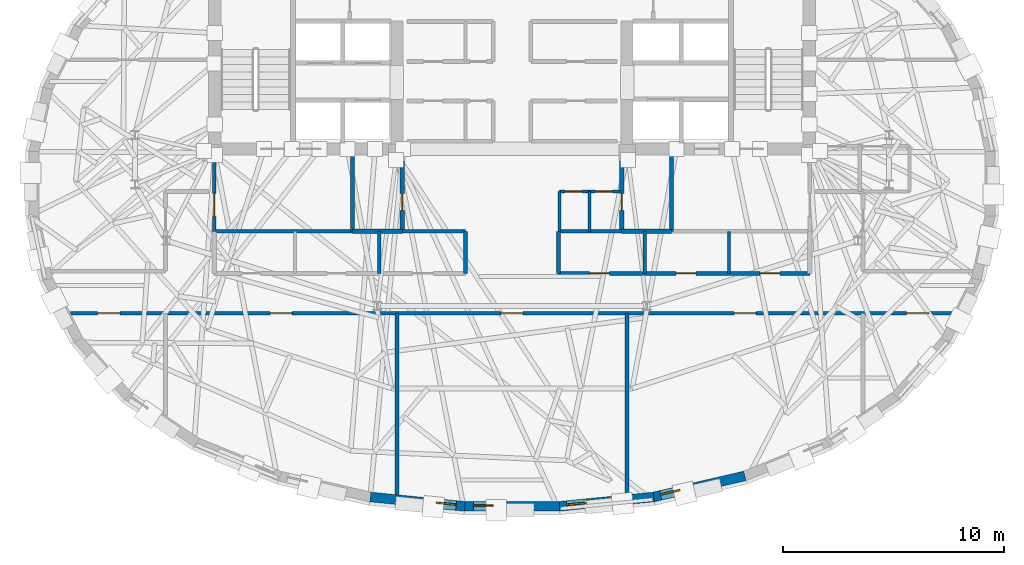
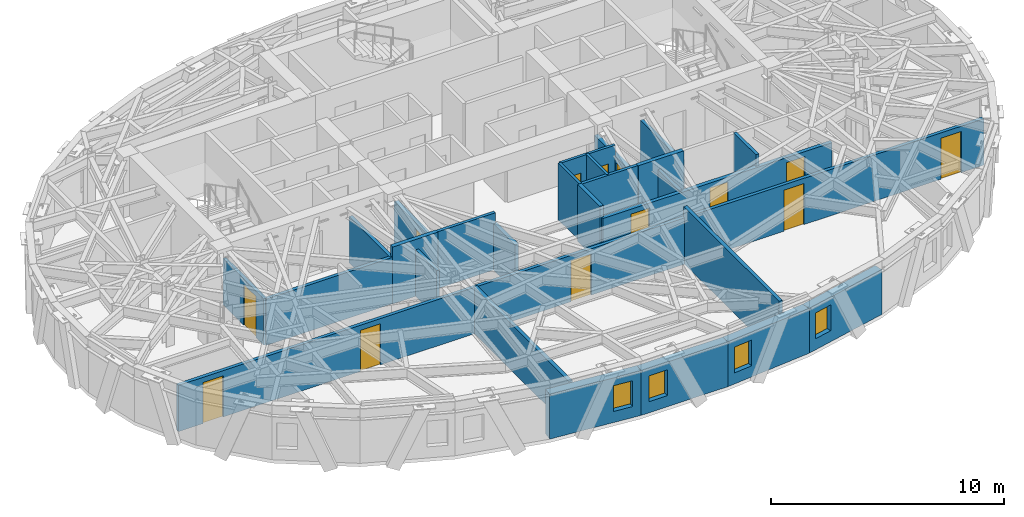
# One storey, part 6 of 12: 26 walls, 13 doors, 4 windows, 17 openings.
"""IFC4 building model written with IfcOpenShell, lengths in metres."""

from ifc_helpers import new_model, si_unit, direction, frame, frame_2d, origin, place, context, subcontext, project, spatial, rectangle, extrude, material, layer, layer_set, type_object, element, fill, save


model = new_model("IFC4")

# Units and contexts
model_context = context("Model", 3, precision=1e-05, world=origin(), true_north=direction((0.0, 1.0)))
body_context = subcontext(model_context, "Body", "Model", "MODEL_VIEW")
ifc_project = project(units=[si_unit("LENGTHUNIT", "METRE"), si_unit("AREAUNIT", "SQUARE_METRE"), si_unit("VOLUMEUNIT", "CUBIC_METRE"), si_unit("PLANEANGLEUNIT", "RADIAN"), si_unit("MASSUNIT", "GRAM", prefix="KILO")], contexts=[model_context])

# Site, building, storey
site_placement = place(None, origin())
site = spatial("IfcSite", under=ifc_project, at=site_placement, CompositionType="ELEMENT")
building_placement = place(site_placement, origin())
building = spatial("IfcBuilding", under=site, at=building_placement, Name="Keldmark Tower", CompositionType="ELEMENT")
storey_placement = place(building_placement, frame((0.0, 0.0, 238.35009765625)))
storey = spatial("IfcBuildingStorey", under=building, at=storey_placement, Name="L67", CompositionType="ELEMENT", Elevation=238.35009765625)

# Walls
ifc_material_1 = material(Name="STC-58 Insulated Tenant Demising Gypsum Partition", Category="gypsum")
ifc_layer_1 = layer(ifc_material_1, 0.175048828125)
ifc_layer_set_1 = layer_set([ifc_layer_1], Name="STC-58 Insulated Tenant Demising Gypsum Partition")
wall_type_1 = type_object("IfcWallType", Name="Demising Suite Partition 175 mm", PredefinedType="PARTITIONING", material=ifc_layer_set_1)
wall_1_placement = place(storey_placement, frame((-5.199951171875, -14.036376953125, 0.0), z_axis=(0.0, 0.0, 1.0), x_axis=(0.0, 1.0, 0.0)))
element("IfcWall", 1, at=wall_1_placement, inside=storey, type_object=wall_type_1, Name="L67 Demising Suite Partition 175 mm RS-ODIV-1", PredefinedType="PARTITIONING", context=body_context, shape_type="SweptSolid", body=[
    extrude(rectangle(XDim=8.186279296875, YDim=0.175048828125, at=frame_2d((4.09326171875, 0.0))), origin(), (0.0, 0.0, 1.0), 2.4228515625),
])
wall_2_placement = place(storey_placement, frame((5.199951171875, -14.036376953125, 0.0), z_axis=(0.0, 0.0, 1.0), x_axis=(0.0, 1.0, 0.0)))
element("IfcWall", 2, at=wall_2_placement, inside=storey, type_object=wall_type_1, Name="L67 Demising Suite Partition 175 mm RS-ODIV-2", PredefinedType="PARTITIONING", context=body_context, shape_type="SweptSolid", body=[
    extrude(rectangle(XDim=8.186279296875, YDim=0.175048828125, at=frame_2d((4.09326171875, 0.0))), origin(), (0.0, 0.0, 1.0), 2.969970703125),
])
ifc_material_2 = material(Name="Heavy Acoustic Plumbing Chase Gypsum Assembly", Category="gypsum")
ifc_layer_2 = layer(ifc_material_2, 0.18994140625)
ifc_layer_set_2 = layer_set([ifc_layer_2], Name="Heavy Acoustic Plumbing Chase Gypsum Assembly")
wall_type_2 = type_object("IfcWallType", Name="Heavy Wet Wall 190 mm", PredefinedType="PLUMBINGWALL", material=ifc_layer_set_2)
wall_3_placement = place(storey_placement, frame((-2.10009765625, -4.050048828125, 0.0), z_axis=(0.0, 0.0, 1.0), x_axis=(0.0, 1.0, 0.0)))
element("IfcWall", 3, at=wall_3_placement, inside=storey, type_object=wall_type_2, Name="L67 Heavy Wet Wall 190 mm SPK-W-E", PredefinedType="PLUMBINGWALL", context=body_context, shape_type="SweptSolid", body=[
    extrude(rectangle(XDim=1.900146484375, YDim=0.18994140625, at=frame_2d((0.9501953125, 0.0))), origin(), (0.0, 0.0, 1.0), 2.4228515625),
])

# Wall, openings, doors
wall_4_placement = place(storey_placement, frame((2.10009765625, -4.050048828125, 0.0), z_axis=(0.0, 0.0, 1.0), x_axis=(1.0, 0.0, 0.0)))
wall_4 = element("IfcWall", 4, at=wall_4_placement, inside=storey, type_object=wall_type_2, Name="L67 Heavy Wet Wall 190 mm SPK-E-S", PredefinedType="PLUMBINGWALL", context=body_context, shape_type="SweptSolid", body=[
    extrude(rectangle(XDim=11.349853515625, YDim=0.18994140625, at=frame_2d((5.6748046875, 0.0))), origin(), (0.0, 0.0, 1.0), 2.35693359375),
])
opening_1_placement = place(wall_4_placement, frame((1.39990234375, 0.0, 0.0)))
opening_1 = element("IfcOpeningElement", 5, at=opening_1_placement, cuts=wall_4, Name="Opening D-IN090", PredefinedType="OPENING", context=body_context, shape_type="SweptSolid", body=[
    extrude(rectangle(XDim=0.89990234375, YDim=2.10009765625, at=frame_2d((0.449951171875, 1.050048828125))), frame((0.0, 0.10498046875, 0.0), z_axis=(0.0, -1.0, 0.0), x_axis=(1.0, 0.0, 0.0)), (0.0, 0.0, 1.0), 0.2099609375),
])
opening_2_placement = place(wall_4_placement, frame((5.300048828125, 0.0, 0.0)))
opening_2 = element("IfcOpeningElement", 6, at=opening_2_placement, cuts=wall_4, Name="Opening D-IN090", PredefinedType="OPENING", context=body_context, shape_type="SweptSolid", body=[
    extrude(rectangle(XDim=0.89990234375, YDim=2.10009765625, at=frame_2d((0.449951171875, 1.050048828125))), frame((0.0, 0.10498046875, 0.0), z_axis=(0.0, -1.0, 0.0), x_axis=(1.0, 0.0, 0.0)), (0.0, 0.0, 1.0), 0.2099609375),
])
opening_3_placement = place(wall_4_placement, frame((9.10009765625, 0.0, 0.0)))
opening_3 = element("IfcOpeningElement", 7, at=opening_3_placement, cuts=wall_4, Name="Opening D-IN090", PredefinedType="OPENING", context=body_context, shape_type="SweptSolid", body=[
    extrude(rectangle(XDim=0.89990234375, YDim=2.10009765625, at=frame_2d((0.449951171875, 1.050048828125))), frame((0.0, 0.10498046875, 0.0), z_axis=(0.0, -1.0, 0.0), x_axis=(1.0, 0.0, 0.0)), (0.0, 0.0, 1.0), 0.2099609375),
])
ifc_material_3 = material(Name="Stained American White Oak Veneer", Category="wood")
door_type_1 = type_object("IfcDoorType", Name="Interior Door 900x2100", OperationType="NOTDEFINED", PredefinedType="DOOR", material=ifc_material_3)
door_1_placement = place(opening_1_placement, origin())
door_1 = element("IfcDoor", 8, at=door_1_placement, inside=storey, type_object=door_type_1, Name="L67 Interior Door 900x2100 D-SPKE1-L67", OperationType="SINGLE_SWING_RIGHT", OverallHeight=2.10009765625, OverallWidth=0.89990234375, PredefinedType="DOOR", context=body_context, shape_type="SweptSolid", body=[
    extrude(rectangle(XDim=0.89990234375, YDim=2.10009765625, at=frame_2d((0.449951171875, 1.050048828125))), frame((0.0, 0.02490234375, 0.0), z_axis=(0.0, -1.0, 0.0), x_axis=(1.0, 0.0, 0.0)), (0.0, 0.0, 1.0), 0.050048828125),
])
fill(opening_1, door_1)
door_2_placement = place(opening_2_placement, origin())
door_2 = element("IfcDoor", 9, at=door_2_placement, inside=storey, type_object=door_type_1, Name="L67 Interior Door 900x2100 D-SPKE2-L67", OperationType="SINGLE_SWING_LEFT", OverallHeight=2.10009765625, OverallWidth=0.89990234375, PredefinedType="DOOR", context=body_context, shape_type="SweptSolid", body=[
    extrude(rectangle(XDim=0.89990234375, YDim=2.10009765625, at=frame_2d((0.449951171875, 1.050048828125))), frame((0.0, 0.02490234375, 0.0), z_axis=(0.0, -1.0, 0.0), x_axis=(1.0, 0.0, 0.0)), (0.0, 0.0, 1.0), 0.050048828125),
])
fill(opening_2, door_2)
door_3_placement = place(opening_3_placement, origin())
door_3 = element("IfcDoor", 10, at=door_3_placement, inside=storey, type_object=door_type_1, Name="L67 Interior Door 900x2100 D-SPKE3-L67", OperationType="SINGLE_SWING_RIGHT", OverallHeight=2.10009765625, OverallWidth=0.89990234375, PredefinedType="DOOR", context=body_context, shape_type="SweptSolid", body=[
    extrude(rectangle(XDim=0.89990234375, YDim=2.10009765625, at=frame_2d((0.449951171875, 1.050048828125))), frame((0.0, 0.02490234375, 0.0), z_axis=(0.0, -1.0, 0.0), x_axis=(1.0, 0.0, 0.0)), (0.0, 0.0, 1.0), 0.050048828125),
])
fill(opening_3, door_3)

# Wall
wall_5_placement = place(storey_placement, frame((2.10009765625, -4.050048828125, 0.0), z_axis=(0.0, 0.0, 1.0), x_axis=(0.0, 1.0, 0.0)))
element("IfcWall", 11, at=wall_5_placement, inside=storey, type_object=wall_type_2, Name="L67 Heavy Wet Wall 190 mm SPK-E-W", PredefinedType="PLUMBINGWALL", context=body_context, shape_type="SweptSolid", body=[
    extrude(rectangle(XDim=1.900146484375, YDim=0.18994140625, at=frame_2d((0.9501953125, 0.0))), origin(), (0.0, 0.0, 1.0), 2.969970703125),
])

# Wall, openings, doors
ifc_material_4 = material(Name="Acoustic Gypsum Board Interior Partition", Category="gypsum")
ifc_layer_3 = layer(ifc_material_4, 0.1298828125)
ifc_layer_set_3 = layer_set([ifc_layer_3], Name="Acoustic Gypsum Board Interior Partition")
wall_type_3 = type_object("IfcWallType", Name="Interior Partition 130 mm", PredefinedType="PARTITIONING", material=ifc_layer_set_3)
wall_6_placement = place(storey_placement, frame((2.14990234375, -0.35009765625, 0.0), z_axis=(0.0, 0.0, 1.0), x_axis=(1.0, 0.0, 0.0)))
wall_6 = element("IfcWall", 12, at=wall_6_placement, inside=storey, type_object=wall_type_3, Name="L67 Interior Partition 130 mm CSC-E-N", PredefinedType="PARTITIONING", context=body_context, shape_type="SweptSolid", body=[
    extrude(rectangle(XDim=2.72998046875, YDim=0.1298828125, at=frame_2d((1.364990234375, 0.0))), origin(), (0.0, 0.0, 1.0), 2.969970703125),
])
opening_4_placement = place(wall_6_placement, frame((0.25, 0.0, 0.0)))
opening_4 = element("IfcOpeningElement", 13, at=opening_4_placement, cuts=wall_6, Name="Opening D-CL078", PredefinedType="OPENING", context=body_context, shape_type="SweptSolid", body=[
    extrude(rectangle(XDim=0.780029296875, YDim=2.10009765625, at=frame_2d((0.39013671875, 1.050048828125))), frame((0.0, 0.074951171875, 0.0), z_axis=(0.0, -1.0, 0.0), x_axis=(1.0, 0.0, 0.0)), (0.0, 0.0, 1.0), 0.14990234375),
])
opening_5_placement = place(wall_6_placement, frame((1.60009765625, 0.0, 0.0)))
opening_5 = element("IfcOpeningElement", 14, at=opening_5_placement, cuts=wall_6, Name="Opening D-CL078", PredefinedType="OPENING", context=body_context, shape_type="SweptSolid", body=[
    extrude(rectangle(XDim=0.780029296875, YDim=2.10009765625, at=frame_2d((0.39013671875, 1.050048828125))), frame((0.0, 0.074951171875, 0.0), z_axis=(0.0, -1.0, 0.0), x_axis=(1.0, 0.0, 0.0)), (0.0, 0.0, 1.0), 0.14990234375),
])
ifc_material_5 = material(Name="Flush Utility Closet Timber Door", Category="wood")
door_type_2 = type_object("IfcDoorType", Name="Closet Door 780x2100", OperationType="NOTDEFINED", PredefinedType="DOOR", material=ifc_material_5)
door_4_placement = place(opening_4_placement, origin())
door_4 = element("IfcDoor", 15, at=door_4_placement, inside=storey, type_object=door_type_2, Name="L67 Closet Door 780x2100 D-CSCE1-L67", OperationType="SINGLE_SWING_LEFT", OverallHeight=2.10009765625, OverallWidth=0.780029296875, PredefinedType="DOOR", context=body_context, shape_type="SweptSolid", body=[
    extrude(rectangle(XDim=0.780029296875, YDim=2.10009765625, at=frame_2d((0.39013671875, 1.050048828125))), frame((0.0, 0.02490234375, 0.0), z_axis=(0.0, -1.0, 0.0), x_axis=(1.0, 0.0, 0.0)), (0.0, 0.0, 1.0), 0.050048828125),
])
fill(opening_4, door_4)
door_5_placement = place(opening_5_placement, origin())
door_5 = element("IfcDoor", 16, at=door_5_placement, inside=storey, type_object=door_type_2, Name="L67 Closet Door 780x2100 D-CSCE2-L67", OperationType="SINGLE_SWING_RIGHT", OverallHeight=2.10009765625, OverallWidth=0.780029296875, PredefinedType="DOOR", context=body_context, shape_type="SweptSolid", body=[
    extrude(rectangle(XDim=0.780029296875, YDim=2.10009765625, at=frame_2d((0.39013671875, 1.050048828125))), frame((0.0, 0.02490234375, 0.0), z_axis=(0.0, -1.0, 0.0), x_axis=(1.0, 0.0, 0.0)), (0.0, 0.0, 1.0), 0.050048828125),
])
fill(opening_5, door_5)

# Walls
for number, where, z_axis, x_axis, name in (
    (17, (2.14990234375, -2.14990234375, 0.0), (0.0, 0.0, 1.0), (0.0, 1.0, 0.0), "L67 Interior Partition 130 mm CSC-E-W"),
    (18, (3.5, -2.14990234375, 0.0), (0.0, 0.0, 1.0), (0.0, 1.0, 0.0), "L67 Interior Partition 130 mm CSC-E-M"),
):
    element("IfcWall", number, at=place(storey_placement, frame(where, z_axis=z_axis, x_axis=x_axis)), inside=storey, type_object=wall_type_3, Name=name, PredefinedType="PARTITIONING", context=body_context, shape_type="SweptSolid", body=[
        extrude(rectangle(XDim=1.7998046875, YDim=0.1298828125, at=frame_2d((0.89990234375, 0.0))), origin(), (0.0, 0.0, 1.0), 2.969970703125),
    ])
ifc_material_6 = material(Name="Type X Fire-Rated Gypsum Partition Assembly", Category="gypsum")
ifc_layer_4 = layer(ifc_material_6, 0.1650390625)
ifc_layer_set_4 = layer_set([ifc_layer_4], Name="Type X Fire-Rated Gypsum Partition Assembly")
wall_type_4 = type_object("IfcWallType", Name="Rated Partition 165 mm", PredefinedType="PARTITIONING", material=ifc_layer_set_4)
wall_7_placement = place(storey_placement, frame((-13.449951171875, -2.14990234375, 0.0), z_axis=(0.0, 0.0, 1.0), x_axis=(1.0, 0.0, 0.0)))
element("IfcWall", 19, at=wall_7_placement, inside=storey, type_object=wall_type_4, Name="L67 Rated Partition 165 mm FSAE-W-S", PredefinedType="PARTITIONING", context=body_context, shape_type="SweptSolid", body=[
    extrude(rectangle(XDim=6.25, YDim=0.1650390625, at=frame_2d((3.125, 0.0))), origin(), (0.0, 0.0, 1.0), 2.4228515625),
])

# Wall, opening, door
wall_8_placement = place(storey_placement, frame((-13.449951171875, -2.14990234375, 0.0), z_axis=(0.0, 0.0, 1.0), x_axis=(0.0, 1.0, 0.0)))
wall_8 = element("IfcWall", 20, at=wall_8_placement, inside=storey, type_object=wall_type_4, Name="L67 Rated Partition 165 mm FSAE-W-W", PredefinedType="PARTITIONING", context=body_context, shape_type="SweptSolid", body=[
    extrude(rectangle(XDim=3.5, YDim=0.1650390625, at=frame_2d((1.75, 0.0))), origin(), (0.0, 0.0, 1.0), 2.4228515625),
])
opening_6_placement = place(wall_8_placement, frame((0.669921875, 0.0, 0.0)))
opening_6 = element("IfcOpeningElement", 21, at=opening_6_placement, cuts=wall_8, Name="Opening D-FL105", PredefinedType="OPENING", context=body_context, shape_type="SweptSolid", body=[
    extrude(rectangle(XDim=1.050048828125, YDim=2.14990234375, at=frame_2d((0.52490234375, 1.074951171875))), frame((0.0, 0.092529296875, 0.0), z_axis=(0.0, -1.0, 0.0), x_axis=(1.0, 0.0, 0.0)), (0.0, 0.0, 1.0), 0.18505859375),
])
ifc_material_7 = material(Name="Fire-Rated Mineral-Core Door and Vision Lite", Category="metal")
door_type_3 = type_object("IfcDoorType", Name="Fire Lobby Door 1050x2150", OperationType="NOTDEFINED", PredefinedType="DOOR", material=ifc_material_7)
door_6_placement = place(opening_6_placement, origin())
door_6 = element("IfcDoor", 22, at=door_6_placement, inside=storey, type_object=door_type_3, Name="L67 Fire Lobby Door 1050x2150 D-FSAEW-OUT-L67", OperationType="SINGLE_SWING_LEFT", OverallHeight=2.14990234375, OverallWidth=1.050048828125, PredefinedType="DOOR", context=body_context, shape_type="SweptSolid", body=[
    extrude(rectangle(XDim=1.050048828125, YDim=2.14990234375, at=frame_2d((0.52490234375, 1.074951171875))), frame((0.0, 0.02490234375, 0.0), z_axis=(0.0, -1.0, 0.0), x_axis=(1.0, 0.0, 0.0)), (0.0, 0.0, 1.0), 0.050048828125),
])
fill(opening_6, door_6)

# Walls
for number, where, z_axis, x_axis, name in (
    (23, (-7.199951171875, -2.14990234375, 0.0), (0.0, 0.0, 1.0), (0.0, 1.0, 0.0), "L67 Rated Partition 165 mm FSAE-W-E"),
    (24, (7.199951171875, -2.14990234375, 0.0), (0.0, 0.0, 1.0), (0.0, 1.0, 0.0), "L67 Rated Partition 165 mm FSAE-E-W"),
):
    element("IfcWall", number, at=place(storey_placement, frame(where, z_axis=z_axis, x_axis=x_axis)), inside=storey, type_object=wall_type_4, Name=name, PredefinedType="PARTITIONING", context=body_context, shape_type="SweptSolid", body=[
        extrude(rectangle(XDim=3.5, YDim=0.1650390625, at=frame_2d((1.75, 0.0))), origin(), (0.0, 0.0, 1.0), 2.4228515625),
    ])

# Wall, openings, doors
wall_9_placement = place(storey_placement, frame((-19.9345703125, -5.85009765625, 0.0), z_axis=(0.0, 0.0, 1.0), x_axis=(1.0, 0.0, 0.0)))
wall_9 = element("IfcWall", 25, at=wall_9_placement, inside=storey, type_object=wall_type_4, Name="L67 Rated Partition 165 mm RCOR-S", PredefinedType="PARTITIONING", context=body_context, shape_type="SweptSolid", body=[
    extrude(rectangle(XDim=39.869140625, YDim=0.1650390625, at=frame_2d((19.9345703125, 0.0))), origin(), (0.0, 0.0, 1.0), 2.4228515625),
])
opening_7_placement = place(wall_9_placement, frame((1.220947265625, 0.0, 0.0)))
opening_7 = element("IfcOpeningElement", 26, at=opening_7_placement, cuts=wall_9, Name="Opening D-FD100", PredefinedType="OPENING", context=body_context, shape_type="SweptSolid", body=[
    extrude(rectangle(XDim=1.0, YDim=2.14990234375, at=frame_2d((0.5, 1.074951171875))), frame((0.0, 0.092529296875, 0.0), z_axis=(0.0, -1.0, 0.0), x_axis=(1.0, 0.0, 0.0)), (0.0, 0.0, 1.0), 0.18505859375),
])
opening_8_placement = place(wall_9_placement, frame((37.747802734375, 0.0, 0.0)))
opening_8 = element("IfcOpeningElement", 27, at=opening_8_placement, cuts=wall_9, Name="Opening D-FD100", PredefinedType="OPENING", context=body_context, shape_type="SweptSolid", body=[
    extrude(rectangle(XDim=1.0, YDim=2.14990234375, at=frame_2d((0.5, 1.074951171875))), frame((0.0, 0.092529296875, 0.0), z_axis=(0.0, -1.0, 0.0), x_axis=(1.0, 0.0, 0.0)), (0.0, 0.0, 1.0), 0.18505859375),
])
opening_9_placement = place(wall_9_placement, frame((9.010009765625, 0.0, 0.0)))
opening_9 = element("IfcOpeningElement", 28, at=opening_9_placement, cuts=wall_9, Name="Opening D-FD100", PredefinedType="OPENING", context=body_context, shape_type="SweptSolid", body=[
    extrude(rectangle(XDim=1.0, YDim=2.14990234375, at=frame_2d((0.5, 1.074951171875))), frame((0.0, 0.092529296875, 0.0), z_axis=(0.0, -1.0, 0.0), x_axis=(1.0, 0.0, 0.0)), (0.0, 0.0, 1.0), 0.18505859375),
])
opening_10_placement = place(wall_9_placement, frame((19.434814453125, 0.0, 0.0)))
opening_10 = element("IfcOpeningElement", 29, at=opening_10_placement, cuts=wall_9, Name="Opening D-FD100", PredefinedType="OPENING", context=body_context, shape_type="SweptSolid", body=[
    extrude(rectangle(XDim=1.0, YDim=2.14990234375, at=frame_2d((0.5, 1.074951171875))), frame((0.0, 0.092529296875, 0.0), z_axis=(0.0, -1.0, 0.0), x_axis=(1.0, 0.0, 0.0)), (0.0, 0.0, 1.0), 0.18505859375),
])
opening_11_placement = place(wall_9_placement, frame((29.9599609375, 0.0, 0.0)))
opening_11 = element("IfcOpeningElement", 30, at=opening_11_placement, cuts=wall_9, Name="Opening D-FD100", PredefinedType="OPENING", context=body_context, shape_type="SweptSolid", body=[
    extrude(rectangle(XDim=1.0, YDim=2.14990234375, at=frame_2d((0.5, 1.074951171875))), frame((0.0, 0.092529296875, 0.0), z_axis=(0.0, -1.0, 0.0), x_axis=(1.0, 0.0, 0.0)), (0.0, 0.0, 1.0), 0.18505859375),
])
ifc_material_8 = material(Name="Hollow Metal Fire-Rated Corridor Door", Category="metal")
door_type_4 = type_object("IfcDoorType", Name="Fire Door 1000x2150", OperationType="NOTDEFINED", PredefinedType="DOOR", material=ifc_material_8)
door_7_placement = place(opening_7_placement, origin())
door_7 = element("IfcDoor", 31, at=door_7_placement, inside=storey, type_object=door_type_4, Name="L67 Fire Door 1000x2150 D-RSCW-L67", OperationType="SINGLE_SWING_LEFT", OverallHeight=2.14990234375, OverallWidth=1.0, PredefinedType="DOOR", context=body_context, shape_type="SweptSolid", body=[
    extrude(rectangle(XDim=1.0, YDim=2.14990234375, at=frame_2d((0.5, 1.074951171875))), frame((0.0, 0.02490234375, 0.0), z_axis=(0.0, -1.0, 0.0), x_axis=(1.0, 0.0, 0.0)), (0.0, 0.0, 1.0), 0.050048828125),
])
fill(opening_7, door_7)
door_8_placement = place(opening_8_placement, origin())
door_8 = element("IfcDoor", 32, at=door_8_placement, inside=storey, type_object=door_type_4, Name="L67 Fire Door 1000x2150 D-RSCE-L67", OperationType="SINGLE_SWING_LEFT", OverallHeight=2.14990234375, OverallWidth=1.0, PredefinedType="DOOR", context=body_context, shape_type="SweptSolid", body=[
    extrude(rectangle(XDim=1.0, YDim=2.14990234375, at=frame_2d((0.5, 1.074951171875))), frame((0.0, 0.02490234375, 0.0), z_axis=(0.0, -1.0, 0.0), x_axis=(1.0, 0.0, 0.0)), (0.0, 0.0, 1.0), 0.050048828125),
])
fill(opening_8, door_8)
door_9_placement = place(opening_9_placement, origin())
door_9 = element("IfcDoor", 33, at=door_9_placement, inside=storey, type_object=door_type_4, Name="L67 Fire Door 1000x2150 D-RSOF-1-L67", OperationType="SINGLE_SWING_LEFT", OverallHeight=2.14990234375, OverallWidth=1.0, PredefinedType="DOOR", context=body_context, shape_type="SweptSolid", body=[
    extrude(rectangle(XDim=1.0, YDim=2.14990234375, at=frame_2d((0.5, 1.074951171875))), frame((0.0, 0.02490234375, 0.0), z_axis=(0.0, -1.0, 0.0), x_axis=(1.0, 0.0, 0.0)), (0.0, 0.0, 1.0), 0.050048828125),
])
fill(opening_9, door_9)
door_10_placement = place(opening_10_placement, origin())
door_10 = element("IfcDoor", 34, at=door_10_placement, inside=storey, type_object=door_type_4, Name="L67 Fire Door 1000x2150 D-RSOF-2-L67", OperationType="SINGLE_SWING_RIGHT", OverallHeight=2.14990234375, OverallWidth=1.0, PredefinedType="DOOR", context=body_context, shape_type="SweptSolid", body=[
    extrude(rectangle(XDim=1.0, YDim=2.14990234375, at=frame_2d((0.5, 1.074951171875))), frame((0.0, 0.02490234375, 0.0), z_axis=(0.0, -1.0, 0.0), x_axis=(1.0, 0.0, 0.0)), (0.0, 0.0, 1.0), 0.050048828125),
])
fill(opening_10, door_10)
door_11_placement = place(opening_11_placement, origin())
door_11 = element("IfcDoor", 35, at=door_11_placement, inside=storey, type_object=door_type_4, Name="L67 Fire Door 1000x2150 D-RSOF-3-L67", OperationType="SINGLE_SWING_LEFT", OverallHeight=2.14990234375, OverallWidth=1.0, PredefinedType="DOOR", context=body_context, shape_type="SweptSolid", body=[
    extrude(rectangle(XDim=1.0, YDim=2.14990234375, at=frame_2d((0.5, 1.074951171875))), frame((0.0, 0.02490234375, 0.0), z_axis=(0.0, -1.0, 0.0), x_axis=(1.0, 0.0, 0.0)), (0.0, 0.0, 1.0), 0.050048828125),
])
fill(opening_11, door_11)

# Wall
ifc_material_9 = material(Name="Fire-Resistant Type X Gypsum Shaftliner Coreboard", Category="gypsum")
ifc_layer_5 = layer(ifc_material_9, 0.199951171875)
ifc_layer_set_5 = layer_set([ifc_layer_5], Name="Fire-Resistant Type X Gypsum Shaftliner Coreboard")
wall_type_5 = type_object("IfcWallType", Name="Shaft Wall 200 mm", PredefinedType="SOLIDWALL", material=ifc_layer_set_5)
wall_10_placement = place(storey_placement, frame((-7.199951171875, -2.14990234375, 0.0), z_axis=(0.0, 0.0, 1.0), x_axis=(1.0, 0.0, 0.0)))
element("IfcWall", 36, at=wall_10_placement, inside=storey, type_object=wall_type_5, Name="L67 Shaft Wall 200 mm RIS-SW-S", PredefinedType="SOLIDWALL", context=body_context, shape_type="SweptSolid", body=[
    extrude(rectangle(XDim=2.25, YDim=0.199951171875, at=frame_2d((1.125, 0.0))), origin(), (0.0, 0.0, 1.0), 2.969970703125),
])

# Wall, opening, door
wall_11_placement = place(storey_placement, frame((-4.949951171875, -2.14990234375, 0.0), z_axis=(0.0, 0.0, 1.0), x_axis=(0.0, 1.0, 0.0)))
wall_11 = element("IfcWall", 37, at=wall_11_placement, inside=storey, type_object=wall_type_5, Name="L67 Shaft Wall 200 mm RIS-SW-E", PredefinedType="SOLIDWALL", context=body_context, shape_type="SweptSolid", body=[
    extrude(rectangle(XDim=3.5, YDim=0.199951171875, at=frame_2d((1.75, 0.0))), origin(), (0.0, 0.0, 1.0), 2.4228515625),
])
opening_12_placement = place(wall_11_placement, frame((0.949951171875, 0.0, 0.0)))
opening_12 = element("IfcOpeningElement", 38, at=opening_12_placement, cuts=wall_11, Name="Opening D-RS075", PredefinedType="OPENING", context=body_context, shape_type="SweptSolid", body=[
    extrude(rectangle(XDim=0.75, YDim=2.10009765625, at=frame_2d((0.375, 1.050048828125))), frame((0.0, 0.10986328125, 0.0), z_axis=(0.0, -1.0, 0.0), x_axis=(1.0, 0.0, 0.0)), (0.0, 0.0, 1.0), 0.219970703125),
])
ifc_material_10 = material(Name="Galvanized Fire-Rated Access Leaf", Category="metal")
door_type_5 = type_object("IfcDoorType", Name="Riser Access Door 750x2100", OperationType="NOTDEFINED", PredefinedType="DOOR", material=ifc_material_10)
door_12_placement = place(opening_12_placement, origin())
door_12 = element("IfcDoor", 39, at=door_12_placement, inside=storey, type_object=door_type_5, Name="L67 Riser Access Door 750x2100 D-RISSW-L67", OperationType="SINGLE_SWING_RIGHT", OverallHeight=2.10009765625, OverallWidth=0.75, PredefinedType="DOOR", context=body_context, shape_type="SweptSolid", body=[
    extrude(rectangle(XDim=0.75, YDim=2.10009765625, at=frame_2d((0.375, 1.050048828125))), frame((0.0, 0.02490234375, 0.0), z_axis=(0.0, -1.0, 0.0), x_axis=(1.0, 0.0, 0.0)), (0.0, 0.0, 1.0), 0.050048828125),
])
fill(opening_12, door_12)

# Wall
wall_12_placement = place(storey_placement, frame((4.949951171875, -2.14990234375, 0.0), z_axis=(0.0, 0.0, 1.0), x_axis=(1.0, 0.0, 0.0)))
element("IfcWall", 40, at=wall_12_placement, inside=storey, type_object=wall_type_5, Name="L67 Shaft Wall 200 mm RIS-SE-S", PredefinedType="SOLIDWALL", context=body_context, shape_type="SweptSolid", body=[
    extrude(rectangle(XDim=2.25, YDim=0.199951171875, at=frame_2d((1.125, 0.0))), origin(), (0.0, 0.0, 1.0), 2.969970703125),
])

# Wall, opening, door
wall_13_placement = place(storey_placement, frame((4.949951171875, -2.14990234375, 0.0), z_axis=(0.0, 0.0, 1.0), x_axis=(0.0, 1.0, 0.0)))
wall_13 = element("IfcWall", 41, at=wall_13_placement, inside=storey, type_object=wall_type_5, Name="L67 Shaft Wall 200 mm RIS-SE-W", PredefinedType="SOLIDWALL", context=body_context, shape_type="SweptSolid", body=[
    extrude(rectangle(XDim=3.5, YDim=0.199951171875, at=frame_2d((1.75, 0.0))), origin(), (0.0, 0.0, 1.0), 2.4228515625),
])
opening_13_placement = place(wall_13_placement, frame((0.949951171875, 0.0, 0.0)))
opening_13 = element("IfcOpeningElement", 42, at=opening_13_placement, cuts=wall_13, Name="Opening D-RS075", PredefinedType="OPENING", context=body_context, shape_type="SweptSolid", body=[
    extrude(rectangle(XDim=0.75, YDim=2.10009765625, at=frame_2d((0.375, 1.050048828125))), frame((0.0, 0.10986328125, 0.0), z_axis=(0.0, -1.0, 0.0), x_axis=(1.0, 0.0, 0.0)), (0.0, 0.0, 1.0), 0.219970703125),
])
door_13_placement = place(opening_13_placement, origin())
door_13 = element("IfcDoor", 43, at=door_13_placement, inside=storey, type_object=door_type_5, Name="L67 Riser Access Door 750x2100 D-RISSE-L67", OperationType="SINGLE_SWING_LEFT", OverallHeight=2.10009765625, OverallWidth=0.75, PredefinedType="DOOR", context=body_context, shape_type="SweptSolid", body=[
    extrude(rectangle(XDim=0.75, YDim=2.10009765625, at=frame_2d((0.375, 1.050048828125))), frame((0.0, 0.02490234375, 0.0), z_axis=(0.0, -1.0, 0.0), x_axis=(1.0, 0.0, 0.0)), (0.0, 0.0, 1.0), 0.050048828125),
])
fill(opening_13, door_13)

# Wall, opening, window
ifc_material_11 = material(Name="Ironspot Manganese Brick and Kasota Buff Limestone Spandrel Assembly", Category="masonry")
ifc_layer_6 = layer(ifc_material_11, 0.43994140625)
ifc_layer_set_6 = layer_set([ifc_layer_6], Name="Ironspot Manganese Brick and Kasota Buff Limestone Spandrel Assembly")
wall_type_6 = type_object("IfcWallType", Name="Tower Brick Pier and Spandrel Wall 440 mm", PredefinedType="STANDARD", material=ifc_layer_set_6)
wall_14_placement = place(storey_placement, frame((-2.126220703125, -14.56982421875, 0.0), z_axis=(0.0, 0.0, 1.0), x_axis=(-0.995134540264, 0.098525361068, 0.0)))
wall_14 = element("IfcWall", 44, at=wall_14_placement, inside=storey, type_object=wall_type_6, Name="L67 Exterior Brick and Spandrel Wall 23", PredefinedType="STANDARD", context=body_context, shape_type="SweptSolid", body=[
    extrude(rectangle(XDim=4.29931640625, YDim=0.43994140625, at=frame_2d((2.149658203125, 0.0))), origin(), (0.0, 0.0, 1.0), 2.3359375),
])
opening_14_placement = place(wall_14_placement, frame((0.39990234375, 0.0, 0.580078125)))
opening_14 = element("IfcOpeningElement", 45, at=opening_14_placement, cuts=wall_14, Name="Opening W-09", PredefinedType="OPENING", context=body_context, shape_type="SweptSolid", body=[
    extrude(rectangle(XDim=0.89990234375, YDim=1.35009765625, at=frame_2d((0.449951171875, 0.675048828125))), frame((0.0, 0.22998046875, 0.0), z_axis=(0.0, -1.0, 0.0), x_axis=(1.0, 0.0, 0.0)), (0.0, 0.0, 1.0), 0.4599609375),
])
ifc_material_12 = material(Name="Thermally Broken Anodized Aluminum and Triple Low-E Argon Glazing", Category="aluminium")
window_type = type_object("IfcWindowType", Name="Corner Pier Deep-Set Window 900x1350", PartitioningType="SINGLE_PANEL", PredefinedType="WINDOW", material=ifc_material_12)
window_1_placement = place(opening_14_placement, origin())
window_1 = element("IfcWindow", 46, at=window_1_placement, inside=storey, type_object=window_type, Name="L67 Deep-Set Window 23", OverallHeight=1.35009765625, OverallWidth=0.89990234375, PartitioningType="SINGLE_PANEL", PredefinedType="WINDOW", context=body_context, shape_type="SweptSolid", body=[
    extrude(rectangle(XDim=0.89990234375, YDim=1.35009765625, at=frame_2d((0.449951171875, 0.675048828125))), frame((0.0, -0.010009765625, 0.0), z_axis=(0.0, -1.0, 0.0), x_axis=(1.0, 0.0, 0.0)), (0.0, 0.0, 1.0), 0.06005859375),
])
fill(opening_14, window_1)

wall_15_placement = place(storey_placement, frame((2.14794921875, -14.56884765625, 0.0), z_axis=(0.0, 0.0, 1.0), x_axis=(-1.0, 0.0, 0.0)))
wall_15 = element("IfcWall", 47, at=wall_15_placement, inside=storey, type_object=wall_type_6, Name="L67 Exterior Brick and Spandrel Wall 24", PredefinedType="STANDARD", context=body_context, shape_type="SweptSolid", body=[
    extrude(rectangle(XDim=4.2958984375, YDim=0.43994140625, at=frame_2d((2.14794921875, 0.0))), origin(), (0.0, 0.0, 1.0), 2.3359375),
])
opening_15_placement = place(wall_15_placement, frame((2.996337890625, 0.0, 0.580078125)))
opening_15 = element("IfcOpeningElement", 48, at=opening_15_placement, cuts=wall_15, Name="Opening W-09", PredefinedType="OPENING", context=body_context, shape_type="SweptSolid", body=[
    extrude(rectangle(XDim=0.89990234375, YDim=1.35009765625, at=frame_2d((0.449951171875, 0.675048828125))), frame((0.0, 0.22998046875, 0.0), z_axis=(0.0, -1.0, 0.0), x_axis=(1.0, 0.0, 0.0)), (0.0, 0.0, 1.0), 0.4599609375),
])
window_2_placement = place(opening_15_placement, origin())
window_2 = element("IfcWindow", 49, at=window_2_placement, inside=storey, type_object=window_type, Name="L67 Deep-Set Window 24", OverallHeight=1.35009765625, OverallWidth=0.89990234375, PartitioningType="SINGLE_PANEL", PredefinedType="WINDOW", context=body_context, shape_type="SweptSolid", body=[
    extrude(rectangle(XDim=0.89990234375, YDim=1.35009765625, at=frame_2d((0.449951171875, 0.675048828125))), frame((0.0, -0.010009765625, 0.0), z_axis=(0.0, -1.0, 0.0), x_axis=(1.0, 0.0, 0.0)), (0.0, 0.0, 1.0), 0.06005859375),
])
fill(opening_15, window_2)

wall_16_placement = place(storey_placement, frame((6.404541015625, -14.146240234375, 0.0), z_axis=(0.0, 0.0, 1.0), x_axis=(-0.995134540264, -0.098525361068, 0.0)))
wall_16 = element("IfcWall", 50, at=wall_16_placement, inside=storey, type_object=wall_type_6, Name="L67 Exterior Brick and Spandrel Wall 25", PredefinedType="STANDARD", context=body_context, shape_type="SweptSolid", body=[
    extrude(rectangle(XDim=4.29931640625, YDim=0.43994140625, at=frame_2d((2.149658203125, 0.0))), origin(), (0.0, 0.0, 1.0), 2.3359375),
])
opening_16_placement = place(wall_16_placement, frame((3.04931640625, 0.0, 0.580078125)))
opening_16 = element("IfcOpeningElement", 51, at=opening_16_placement, cuts=wall_16, Name="Opening W-09", PredefinedType="OPENING", context=body_context, shape_type="SweptSolid", body=[
    extrude(rectangle(XDim=0.89990234375, YDim=1.35009765625, at=frame_2d((0.449951171875, 0.675048828125))), frame((0.0, 0.22998046875, 0.0), z_axis=(0.0, -1.0, 0.0), x_axis=(1.0, 0.0, 0.0)), (0.0, 0.0, 1.0), 0.4599609375),
])
window_3_placement = place(opening_16_placement, origin())
window_3 = element("IfcWindow", 52, at=window_3_placement, inside=storey, type_object=window_type, Name="L67 Deep-Set Window 25", OverallHeight=1.35009765625, OverallWidth=0.89990234375, PartitioningType="SINGLE_PANEL", PredefinedType="WINDOW", context=body_context, shape_type="SweptSolid", body=[
    extrude(rectangle(XDim=0.89990234375, YDim=1.35009765625, at=frame_2d((0.449951171875, 0.675048828125))), frame((0.0, -0.010009765625, 0.0), z_axis=(0.0, -1.0, 0.0), x_axis=(1.0, 0.0, 0.0)), (0.0, 0.0, 1.0), 0.06005859375),
])
fill(opening_16, window_3)

wall_17_placement = place(storey_placement, frame((10.520263671875, -13.194580078125, 0.0), z_axis=(0.0, 0.0, 1.0), x_axis=(-0.974398936081, -0.224825962391, 0.0)))
wall_17 = element("IfcWall", 53, at=wall_17_placement, inside=storey, type_object=wall_type_6, Name="L67 Exterior Brick and Spandrel Wall 26", PredefinedType="STANDARD", context=body_context, shape_type="SweptSolid", body=[
    extrude(rectangle(XDim=4.25244140625, YDim=0.43994140625, at=frame_2d((2.126220703125, 0.0))), origin(), (0.0, 0.0, 1.0), 2.3359375),
])
opening_17_placement = place(wall_17_placement, frame((3.0048828125, 0.0, 0.580078125)))
opening_17 = element("IfcOpeningElement", 54, at=opening_17_placement, cuts=wall_17, Name="Opening W-09", PredefinedType="OPENING", context=body_context, shape_type="SweptSolid", body=[
    extrude(rectangle(XDim=0.89990234375, YDim=1.35009765625, at=frame_2d((0.449951171875, 0.675048828125))), frame((0.0, 0.22998046875, 0.0), z_axis=(0.0, -1.0, 0.0), x_axis=(1.0, 0.0, 0.0)), (0.0, 0.0, 1.0), 0.4599609375),
])
window_4_placement = place(opening_17_placement, origin())
window_4 = element("IfcWindow", 55, at=window_4_placement, inside=storey, type_object=window_type, Name="L67 Deep-Set Window 26", OverallHeight=1.35009765625, OverallWidth=0.89990234375, PartitioningType="SINGLE_PANEL", PredefinedType="WINDOW", context=body_context, shape_type="SweptSolid", body=[
    extrude(rectangle(XDim=0.89990234375, YDim=1.35009765625, at=frame_2d((0.449951171875, 0.675048828125))), frame((0.0, -0.010009765625, 0.0), z_axis=(0.0, -1.0, 0.0), x_axis=(1.0, 0.0, 0.0)), (0.0, 0.0, 1.0), 0.06005859375),
])
fill(opening_17, window_4)

# Walls
ifc_material_13 = material(Name="Moisture-Resistant Gypsum Plumbing Partition", Category="gypsum")
ifc_layer_7 = layer(ifc_material_13, 0.14990234375)
ifc_layer_set_7 = layer_set([ifc_layer_7], Name="Moisture-Resistant Gypsum Plumbing Partition")
wall_type_7 = type_object("IfcWallType", Name="Wet Wall 150 mm", PredefinedType="PLUMBINGWALL", material=ifc_layer_set_7)
wall_18_placement = place(storey_placement, frame((-4.949951171875, -2.14990234375, 0.0), z_axis=(0.0, 0.0, 1.0), x_axis=(1.0, 0.0, 0.0)))
element("IfcWall", 56, at=wall_18_placement, inside=storey, type_object=wall_type_7, Name="L67 Wet Wall 150 mm SPK-W-N", PredefinedType="PLUMBINGWALL", context=body_context, shape_type="SweptSolid", body=[
    extrude(rectangle(XDim=2.849853515625, YDim=0.14990234375, at=frame_2d((1.4248046875, 0.0))), origin(), (0.0, 0.0, 1.0), 2.969970703125),
])
wall_19_placement = place(storey_placement, frame((-6.0, -4.050048828125, 0.0), z_axis=(0.0, 0.0, 1.0), x_axis=(0.0, 1.0, 0.0)))
element("IfcWall", 57, at=wall_19_placement, inside=storey, type_object=wall_type_7, Name="L67 Wet Wall 150 mm SPK-W-D2", PredefinedType="PLUMBINGWALL", context=body_context, shape_type="SweptSolid", body=[
    extrude(rectangle(XDim=1.900146484375, YDim=0.14990234375, at=frame_2d((0.9501953125, 0.0))), origin(), (0.0, 0.0, 1.0), 2.430908203125),
])
wall_20_placement = place(storey_placement, frame((2.10009765625, -2.14990234375, 0.0), z_axis=(0.0, 0.0, 1.0), x_axis=(1.0, 0.0, 0.0)))
element("IfcWall", 58, at=wall_20_placement, inside=storey, type_object=wall_type_7, Name="L67 Wet Wall 150 mm SPK-E-N", PredefinedType="PLUMBINGWALL", context=body_context, shape_type="SweptSolid", body=[
    extrude(rectangle(XDim=2.849853515625, YDim=0.14990234375, at=frame_2d((1.4248046875, 0.0))), origin(), (0.0, 0.0, 1.0), 2.969970703125),
])
wall_21_placement = place(storey_placement, frame((6.0, -4.050048828125, 0.0), z_axis=(0.0, 0.0, 1.0), x_axis=(0.0, 1.0, 0.0)))
element("IfcWall", 59, at=wall_21_placement, inside=storey, type_object=wall_type_7, Name="L67 Wet Wall 150 mm SPK-E-D1", PredefinedType="PLUMBINGWALL", context=body_context, shape_type="SweptSolid", body=[
    extrude(rectangle(XDim=1.900146484375, YDim=0.14990234375, at=frame_2d((0.9501953125, 0.0))), origin(), (0.0, 0.0, 1.0), 2.430908203125),
])
wall_22_placement = place(storey_placement, frame((9.800048828125, -4.050048828125, 0.0), z_axis=(0.0, 0.0, 1.0), x_axis=(0.0, 1.0, 0.0)))
element("IfcWall", 60, at=wall_22_placement, inside=storey, type_object=wall_type_7, Name="L67 Wet Wall 150 mm SPK-E-D2", PredefinedType="PLUMBINGWALL", context=body_context, shape_type="SweptSolid", body=[
    extrude(rectangle(XDim=1.900146484375, YDim=0.14990234375, at=frame_2d((0.9501953125, 0.0))), origin(), (0.0, 0.0, 1.0), 2.969970703125),
])

save(model, "model.ifc")
